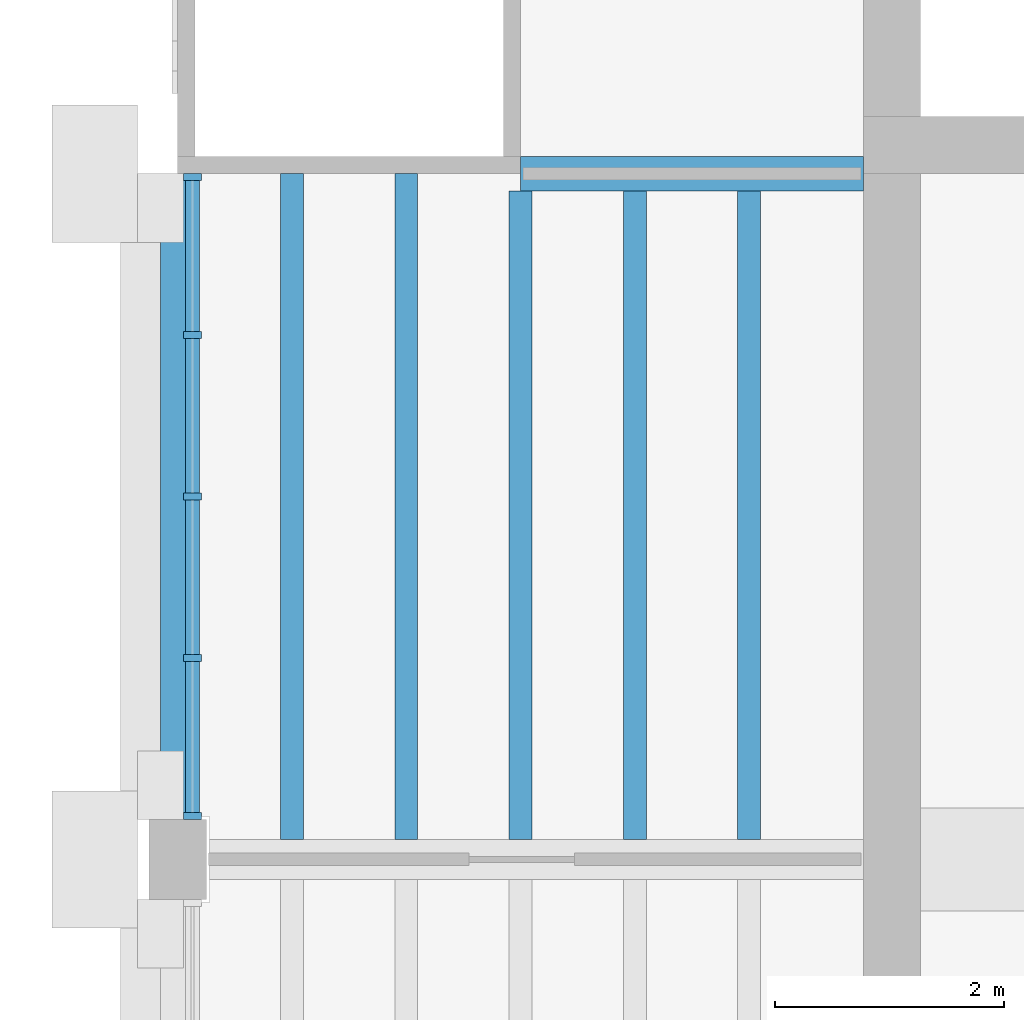
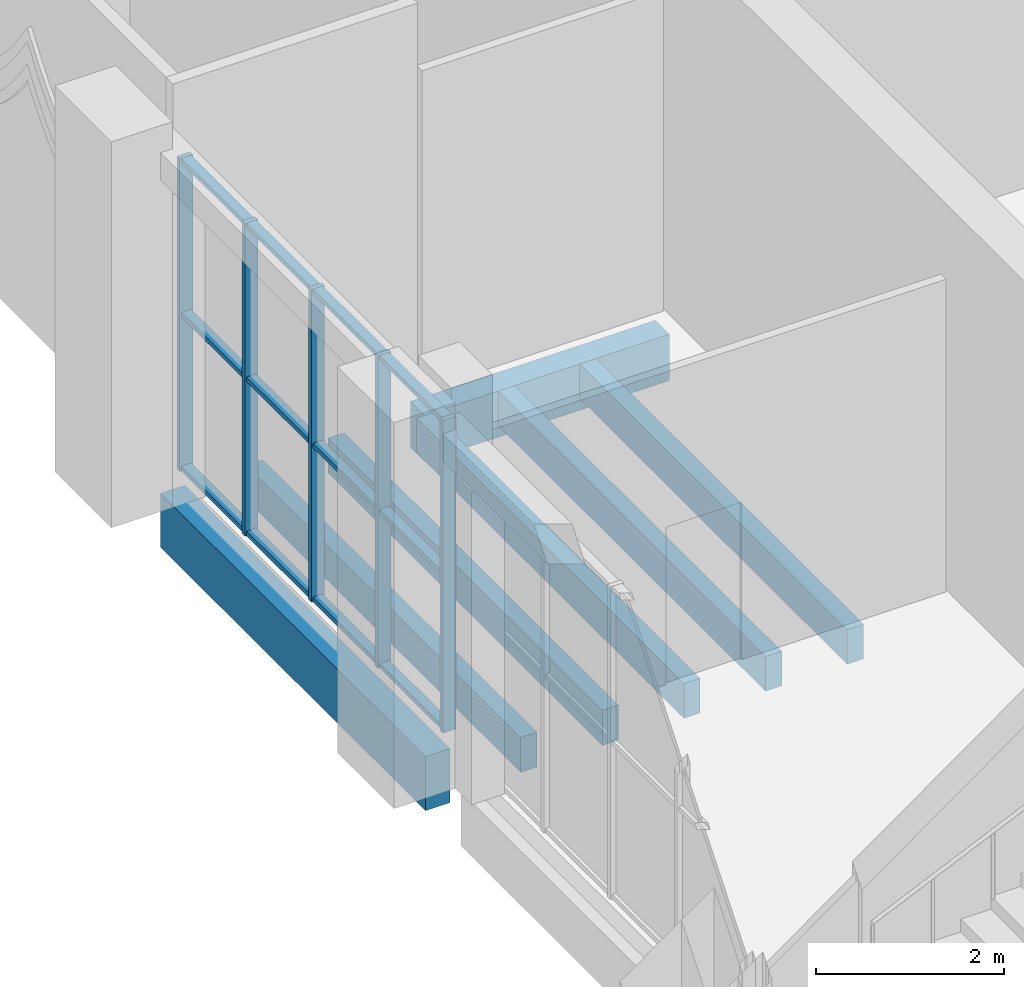
# One storey, part 11 of 80: 17 members, 7 beams, 1 element without a shape of its own.
"""IFC4 building model written with IfcOpenShell, lengths in metres."""

from ifc_helpers import new_model, si_unit, direction, frame, origin, origin_2d, place, context, subcontext, project, spatial, rectangle, extrude, material, material_profile, profile_set, type_object, element, aggregate, save


model = new_model("IFC4")

# Units and contexts
model_context = context("Model", 3, precision=1e-05, world=origin(), true_north=direction((0.0, 1.0)))
body_context = subcontext(model_context, "Body", "Model", "MODEL_VIEW")
ifc_project = project(units=[si_unit("LENGTHUNIT", "METRE"), si_unit("AREAUNIT", "SQUARE_METRE"), si_unit("VOLUMEUNIT", "CUBIC_METRE"), si_unit("PLANEANGLEUNIT", "RADIAN"), si_unit("MASSUNIT", "GRAM", prefix="KILO")], contexts=[model_context])

# Site, building, storey
site_placement = place(None, origin())
site = spatial("IfcSite", under=ifc_project, at=site_placement, CompositionType="ELEMENT")
building_placement = place(site_placement, origin())
building = spatial("IfcBuilding", under=site, at=building_placement, Name="Saffron Lane Theatres", CompositionType="ELEMENT")
storey_placement = place(building_placement, frame((0.0, 0.0, 7.0)))
storey = spatial("IfcBuildingStorey", under=building, at=storey_placement, Name="L01", CompositionType="ELEMENT", Elevation=7.0)

# Curtain wall, members
ifc_material_1 = material(Name="Aluminium", Category="aluminium")
curtain_wall_type = type_object("IfcCurtainWallType", Name="EX-CURTAIN WALL 5650x4050x160", PredefinedType="NOTDEFINED", material=ifc_material_1)
curtain_wall_placement = place(storey_placement, origin())
curtain_wall = element("IfcCurtainWall", 1, at=curtain_wall_placement, inside=storey, type_object=curtain_wall_type, Name="Curtain wall L01 04", PredefinedType="NOTDEFINED")
ifc_material_2 = material(Name="Aluminium", Category="aluminium")
ifc_material_profile_1 = material_profile(ifc_material_2, rectangle(XDim=0.06005859375, YDim=0.159912109375, at=origin_2d()))
ifc_profile_set_1 = profile_set([ifc_material_profile_1], Name="Aluminium")
member_type_1 = type_object("IfcMemberType", Name="EX-CW MULLION 60x160", PredefinedType="MULLION", material=ifc_profile_set_1)
member_1_placement = place(storey_placement, frame((12.1298828125, 48.380126953125, 0.0), z_axis=(0.0, 0.0, 1.0), x_axis=(0.0, 1.0, 0.0)))
member_1 = element("IfcMember", 2, at=member_1_placement, type_object=member_type_1, Name="CW-01-04 mullion 1", PredefinedType="MULLION", context=body_context, shape_type="SweptSolid", body=[
    extrude(rectangle(XDim=0.06005859375, YDim=0.159912109375, at=origin_2d()), origin(), (0.0, 0.0, 1.0), 4.050048828125),
])
member_2_placement = place(storey_placement, frame((12.1298828125, 49.762451171875, 0.0), z_axis=(0.0, 0.0, 1.0), x_axis=(0.0, 1.0, 0.0)))
member_2 = element("IfcMember", 3, at=member_2_placement, type_object=member_type_1, Name="CW-01-04 mullion 2", PredefinedType="MULLION", context=body_context, shape_type="SweptSolid", body=[
    extrude(rectangle(XDim=0.06005859375, YDim=0.159912109375, at=origin_2d()), origin(), (0.0, 0.0, 1.0), 4.050048828125),
])
member_3_placement = place(storey_placement, frame((12.1298828125, 51.175048828125, 0.0), z_axis=(0.0, 0.0, 1.0), x_axis=(0.0, 1.0, 0.0)))
member_3 = element("IfcMember", 4, at=member_3_placement, type_object=member_type_1, Name="CW-01-04 mullion 3", PredefinedType="MULLION", context=body_context, shape_type="SweptSolid", body=[
    extrude(rectangle(XDim=0.06005859375, YDim=0.159912109375, at=origin_2d()), origin(), (0.0, 0.0, 1.0), 4.050048828125),
])
member_4_placement = place(storey_placement, frame((12.1298828125, 52.58740234375, 0.0), z_axis=(0.0, 0.0, 1.0), x_axis=(0.0, 1.0, 0.0)))
member_4 = element("IfcMember", 5, at=member_4_placement, type_object=member_type_1, Name="CW-01-04 mullion 4", PredefinedType="MULLION", context=body_context, shape_type="SweptSolid", body=[
    extrude(rectangle(XDim=0.06005859375, YDim=0.159912109375, at=origin_2d()), origin(), (0.0, 0.0, 1.0), 4.050048828125),
])
member_5_placement = place(storey_placement, frame((12.1298828125, 53.969970703125, 0.0), z_axis=(0.0, 0.0, 1.0), x_axis=(0.0, 1.0, 0.0)))
member_5 = element("IfcMember", 6, at=member_5_placement, type_object=member_type_1, Name="CW-01-04 mullion 5", PredefinedType="MULLION", context=body_context, shape_type="SweptSolid", body=[
    extrude(rectangle(XDim=0.06005859375, YDim=0.159912109375, at=origin_2d()), origin(), (0.0, 0.0, 1.0), 4.050048828125),
])
ifc_material_3 = material(Name="Aluminium", Category="aluminium")
ifc_material_profile_2 = material_profile(ifc_material_3, rectangle(XDim=0.1201171875, YDim=0.06005859375, at=origin_2d()))
ifc_profile_set_2 = profile_set([ifc_material_profile_2], Name="Aluminium")
member_type_2 = type_object("IfcMemberType", Name="EX-CW TRANSOM 120x60", PredefinedType="USERDEFINED", material=ifc_profile_set_2)
member_6_placement = place(storey_placement, frame((12.1298828125, 48.41015625, 0.030029296875), z_axis=(0.0, 1.0, 0.0), x_axis=(-1.0, 0.0, 0.0)))
member_6 = element("IfcMember", 7, at=member_6_placement, type_object=member_type_2, Name="CW-01-04 transom 1.1", ObjectType="TRANSOM", PredefinedType="USERDEFINED", context=body_context, shape_type="SweptSolid", body=[
    extrude(rectangle(XDim=0.1201171875, YDim=0.06005859375, at=origin_2d()), origin(), (0.0, 0.0, 1.0), 1.322509765625),
])
member_7_placement = place(storey_placement, frame((12.1298828125, 48.41015625, 2.02490234375), z_axis=(0.0, 1.0, 0.0), x_axis=(-1.0, 0.0, 0.0)))
member_7 = element("IfcMember", 8, at=member_7_placement, type_object=member_type_2, Name="CW-01-04 transom 1.2", ObjectType="TRANSOM", PredefinedType="USERDEFINED", context=body_context, shape_type="SweptSolid", body=[
    extrude(rectangle(XDim=0.1201171875, YDim=0.06005859375, at=origin_2d()), origin(), (0.0, 0.0, 1.0), 1.322509765625),
])
member_8_placement = place(storey_placement, frame((12.1298828125, 48.41015625, 4.02001953125), z_axis=(0.0, 1.0, 0.0), x_axis=(-1.0, 0.0, 0.0)))
member_8 = element("IfcMember", 9, at=member_8_placement, type_object=member_type_2, Name="CW-01-04 transom 1.3", ObjectType="TRANSOM", PredefinedType="USERDEFINED", context=body_context, shape_type="SweptSolid", body=[
    extrude(rectangle(XDim=0.1201171875, YDim=0.06005859375, at=origin_2d()), origin(), (0.0, 0.0, 1.0), 1.322509765625),
])
member_9_placement = place(storey_placement, frame((12.1298828125, 49.79248046875, 0.030029296875), z_axis=(0.0, 1.0, 0.0), x_axis=(-1.0, 0.0, 0.0)))
member_9 = element("IfcMember", 10, at=member_9_placement, type_object=member_type_2, Name="CW-01-04 transom 2.1", ObjectType="TRANSOM", PredefinedType="USERDEFINED", context=body_context, shape_type="SweptSolid", body=[
    extrude(rectangle(XDim=0.1201171875, YDim=0.06005859375, at=origin_2d()), origin(), (0.0, 0.0, 1.0), 1.3525390625),
])
member_10_placement = place(storey_placement, frame((12.1298828125, 49.79248046875, 2.02490234375), z_axis=(0.0, 1.0, 0.0), x_axis=(-1.0, 0.0, 0.0)))
member_10 = element("IfcMember", 11, at=member_10_placement, type_object=member_type_2, Name="CW-01-04 transom 2.2", ObjectType="TRANSOM", PredefinedType="USERDEFINED", context=body_context, shape_type="SweptSolid", body=[
    extrude(rectangle(XDim=0.1201171875, YDim=0.06005859375, at=origin_2d()), origin(), (0.0, 0.0, 1.0), 1.3525390625),
])
member_11_placement = place(storey_placement, frame((12.1298828125, 49.79248046875, 4.02001953125), z_axis=(0.0, 1.0, 0.0), x_axis=(-1.0, 0.0, 0.0)))
member_11 = element("IfcMember", 12, at=member_11_placement, type_object=member_type_2, Name="CW-01-04 transom 2.3", ObjectType="TRANSOM", PredefinedType="USERDEFINED", context=body_context, shape_type="SweptSolid", body=[
    extrude(rectangle(XDim=0.1201171875, YDim=0.06005859375, at=origin_2d()), origin(), (0.0, 0.0, 1.0), 1.3525390625),
])
member_12_placement = place(storey_placement, frame((12.1298828125, 51.205078125, 0.030029296875), z_axis=(0.0, 1.0, 0.0), x_axis=(-1.0, 0.0, 0.0)))
member_12 = element("IfcMember", 13, at=member_12_placement, type_object=member_type_2, Name="CW-01-04 transom 3.1", ObjectType="TRANSOM", PredefinedType="USERDEFINED", context=body_context, shape_type="SweptSolid", body=[
    extrude(rectangle(XDim=0.1201171875, YDim=0.06005859375, at=origin_2d()), origin(), (0.0, 0.0, 1.0), 1.3525390625),
])
member_13_placement = place(storey_placement, frame((12.1298828125, 51.205078125, 2.02490234375), z_axis=(0.0, 1.0, 0.0), x_axis=(-1.0, 0.0, 0.0)))
member_13 = element("IfcMember", 14, at=member_13_placement, type_object=member_type_2, Name="CW-01-04 transom 3.2", ObjectType="TRANSOM", PredefinedType="USERDEFINED", context=body_context, shape_type="SweptSolid", body=[
    extrude(rectangle(XDim=0.1201171875, YDim=0.06005859375, at=origin_2d()), origin(), (0.0, 0.0, 1.0), 1.3525390625),
])
member_14_placement = place(storey_placement, frame((12.1298828125, 51.205078125, 4.02001953125), z_axis=(0.0, 1.0, 0.0), x_axis=(-1.0, 0.0, 0.0)))
member_14 = element("IfcMember", 15, at=member_14_placement, type_object=member_type_2, Name="CW-01-04 transom 3.3", ObjectType="TRANSOM", PredefinedType="USERDEFINED", context=body_context, shape_type="SweptSolid", body=[
    extrude(rectangle(XDim=0.1201171875, YDim=0.06005859375, at=origin_2d()), origin(), (0.0, 0.0, 1.0), 1.3525390625),
])
member_15_placement = place(storey_placement, frame((12.1298828125, 52.617431640625, 0.030029296875), z_axis=(0.0, 1.0, 0.0), x_axis=(-1.0, 0.0, 0.0)))
member_15 = element("IfcMember", 16, at=member_15_placement, type_object=member_type_2, Name="CW-01-04 transom 4.1", ObjectType="TRANSOM", PredefinedType="USERDEFINED", context=body_context, shape_type="SweptSolid", body=[
    extrude(rectangle(XDim=0.1201171875, YDim=0.06005859375, at=origin_2d()), origin(), (0.0, 0.0, 1.0), 1.322509765625),
])
member_16_placement = place(storey_placement, frame((12.1298828125, 52.617431640625, 2.02490234375), z_axis=(0.0, 1.0, 0.0), x_axis=(-1.0, 0.0, 0.0)))
member_16 = element("IfcMember", 17, at=member_16_placement, type_object=member_type_2, Name="CW-01-04 transom 4.2", ObjectType="TRANSOM", PredefinedType="USERDEFINED", context=body_context, shape_type="SweptSolid", body=[
    extrude(rectangle(XDim=0.1201171875, YDim=0.06005859375, at=origin_2d()), origin(), (0.0, 0.0, 1.0), 1.322509765625),
])
member_17_placement = place(storey_placement, frame((12.1298828125, 52.617431640625, 4.02001953125), z_axis=(0.0, 1.0, 0.0), x_axis=(-1.0, 0.0, 0.0)))
member_17 = element("IfcMember", 18, at=member_17_placement, type_object=member_type_2, Name="CW-01-04 transom 4.3", ObjectType="TRANSOM", PredefinedType="USERDEFINED", context=body_context, shape_type="SweptSolid", body=[
    extrude(rectangle(XDim=0.1201171875, YDim=0.06005859375, at=origin_2d()), origin(), (0.0, 0.0, 1.0), 1.322509765625),
])
aggregate(curtain_wall, [member_1, member_2, member_3, member_4, member_5, member_6, member_7, member_8, member_9, member_10, member_11, member_12, member_13, member_14, member_15, member_16, member_17])

# Beams
ifc_material_4 = material(Name="Concrete N40 (40 MPa)", Category="concrete")
ifc_material_profile_3 = material_profile(ifc_material_4, rectangle(XDim=0.300048828125, YDim=0.60009765625, at=origin_2d()))
ifc_profile_set_3 = profile_set([ifc_material_profile_3], Name="Concrete N40 (40 MPa)")
beam_type_1 = type_object("IfcBeamType", Name="RC-BEAM 300x600", PredefinedType="BEAM", material=ifc_profile_set_3)
beam_1_placement = place(storey_placement, frame((15.0, 54.0, -0.550048828125), z_axis=(1.0, 0.0, 0.0), x_axis=(0.0, 1.0, 0.0)))
element("IfcBeam", 19, at=beam_1_placement, inside=storey, type_object=beam_type_1, Name="beam-L01-x540-150", PredefinedType="BEAM", context=body_context, shape_type="SweptSolid", body=[
    extrude(rectangle(XDim=0.300048828125, YDim=0.60009765625, at=origin_2d()), origin(), (0.0, 0.0, 1.0), 3.0),
])
ifc_material_5 = material(Name="Concrete N40 (40 MPa)", Category="concrete")
ifc_material_profile_4 = material_profile(ifc_material_5, rectangle(XDim=0.300048828125, YDim=0.699951171875, at=origin_2d()))
ifc_profile_set_4 = profile_set([ifc_material_profile_4], Name="Concrete N40 (40 MPa)")
beam_type_2 = type_object("IfcBeamType", Name="RC-BEAM 300x700", PredefinedType="BEAM", material=ifc_profile_set_4)
beam_2_placement = place(storey_placement, frame((12.0, 48.375, -0.60009765625), z_axis=(0.0, 1.0, 0.0), x_axis=(-1.0, 0.0, 0.0)))
element("IfcBeam", 20, at=beam_2_placement, inside=storey, type_object=beam_type_2, Name="beam-L01-y120-484", PredefinedType="BEAM", context=body_context, shape_type="SweptSolid", body=[
    extrude(rectangle(XDim=0.300048828125, YDim=0.699951171875, at=origin_2d()), origin(), (0.0, 0.0, 1.0), 5.625),
])
ifc_material_6 = material(Name="Concrete N40 (40 MPa)", Category="concrete")
ifc_material_profile_5 = material_profile(ifc_material_6, rectangle(XDim=0.199951171875, YDim=0.449951171875, at=origin_2d()))
ifc_profile_set_5 = profile_set([ifc_material_profile_5], Name="Concrete N40 (40 MPa)")
beam_type_3 = type_object("IfcBeamType", Name="RC-JOIST 200x450", PredefinedType="JOIST", material=ifc_profile_set_5)
for number, where, z_axis, x_axis, name in (
    (21, (13.0, 48.175048828125, -0.47509765625), (0.0, 1.0, 0.0), (-1.0, 0.0, 0.0), "joist-L01-y1300-482"),
    (22, (14.0, 48.175048828125, -0.47509765625), (0.0, 1.0, 0.0), (-1.0, 0.0, 0.0), "joist-L01-y1400-482"),
):
    element("IfcBeam", number, at=place(storey_placement, frame(where, z_axis=z_axis, x_axis=x_axis)), inside=storey, type_object=beam_type_3, Name=name, PredefinedType="JOIST", context=body_context, shape_type="SweptSolid", body=[
        extrude(rectangle(XDim=0.199951171875, YDim=0.449951171875, at=origin_2d()), origin(), (0.0, 0.0, 1.0), 5.824951171875),
    ])
for number, where, z_axis, x_axis, name in (
    (23, (15.0, 48.175048828125, -0.47509765625), (0.0, 1.0, 0.0), (-1.0, 0.0, 0.0), "joist-L01-y1500-482"),
    (24, (16.0, 48.175048828125, -0.47509765625), (0.0, 1.0, 0.0), (-1.0, 0.0, 0.0), "joist-L01-y1600-482"),
    (25, (17.0, 48.175048828125, -0.47509765625), (0.0, 1.0, 0.0), (-1.0, 0.0, 0.0), "joist-L01-y1700-482"),
):
    element("IfcBeam", number, at=place(storey_placement, frame(where, z_axis=z_axis, x_axis=x_axis)), inside=storey, type_object=beam_type_3, Name=name, PredefinedType="JOIST", context=body_context, shape_type="SweptSolid", body=[
        extrude(rectangle(XDim=0.199951171875, YDim=0.449951171875, at=origin_2d()), origin(), (0.0, 0.0, 1.0), 5.675048828125),
    ])

save(model, "model.ifc")
